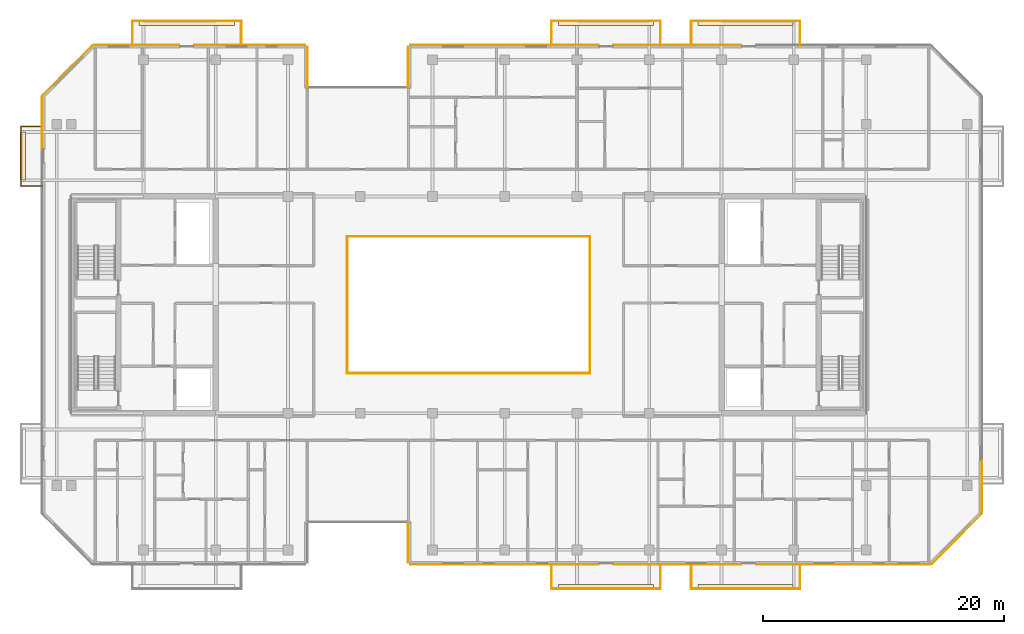
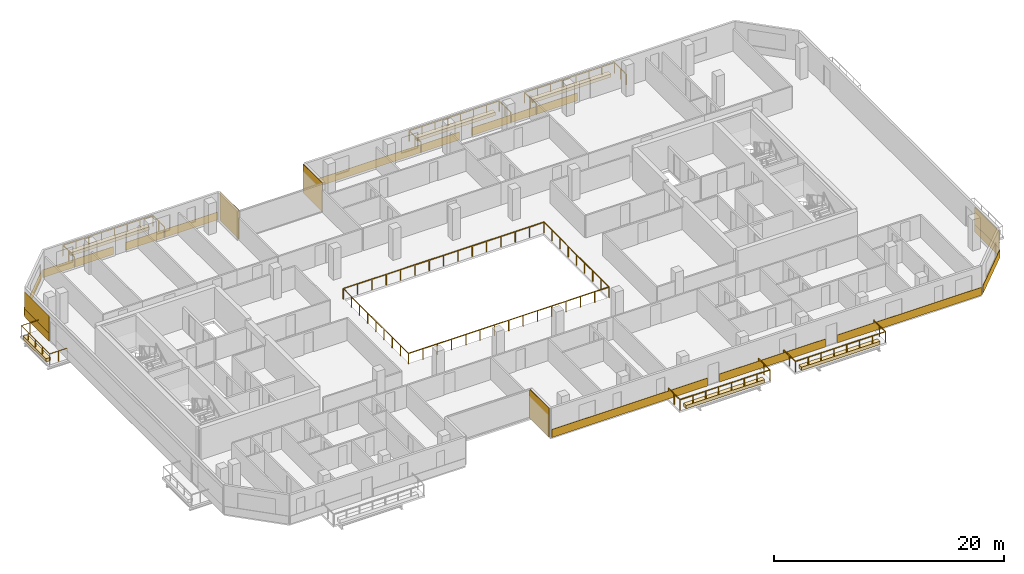
# One storey, part 19 of 20: 22 coverings, 8 railings.
"""IFC4 building model written with IfcOpenShell, lengths in metres."""

from ifc_helpers import new_model, si_unit, direction, frame, origin, origin_2d, place, context, subcontext, project, spatial, polyline, rectangle, outline, extrude, material, layer, layer_set, type_object, element, save


model = new_model("IFC4")

# Units and contexts
model_context = context("Model", 3, precision=1e-05, world=origin(), true_north=direction((0.0, 1.0)))
body_context = subcontext(model_context, "Body", "Model", "MODEL_VIEW")
ifc_project = project(units=[si_unit("LENGTHUNIT", "METRE"), si_unit("AREAUNIT", "SQUARE_METRE"), si_unit("VOLUMEUNIT", "CUBIC_METRE"), si_unit("PLANEANGLEUNIT", "RADIAN"), si_unit("MASSUNIT", "GRAM", prefix="KILO")], contexts=[model_context])

# Site, building, storey
site_placement = place(None, origin())
site = spatial("IfcSite", under=ifc_project, at=site_placement, CompositionType="ELEMENT")
building_placement = place(site_placement, origin())
building = spatial("IfcBuilding", under=site, at=building_placement, Name="Tanjung Sevakor Pilgrim Tower", CompositionType="ELEMENT")
storey_placement = place(building_placement, frame((0.0, 0.0, 201.6298828125)))
storey = spatial("IfcBuildingStorey", under=building, at=storey_placement, Name="L56", CompositionType="ELEMENT", Elevation=201.6298828125)

# Coverings
ifc_material_1 = material(Name="Reconstructed Limestone Cladding", Category="masonry")
ifc_layer_1 = layer(ifc_material_1, 0.044921875)
ifc_layer_set_1 = layer_set([ifc_layer_1], Name="COV-CLAD-LIMESTONE")
covering_type_1 = type_object("IfcCoveringType", Name="COV-CLAD-LIMESTONE", PredefinedType="CLADDING", material=ifc_layer_set_1)
covering_1_placement = place(storey_placement, frame((51.9775390625, 13.860107421875, 0.02001953125), z_axis=(0.0, 0.0, 1.0), x_axis=(0.0, -1.0, 0.0)))
element("IfcCovering", 1, at=covering_1_placement, inside=storey, type_object=covering_type_1, Name="L56 Warm Limestone Wall Cladding EW-L56-MAIN-4", PredefinedType="CLADDING", context=body_context, shape_type="SweptSolid", body=[
    extrude(rectangle(XDim=3.360107421875, YDim=0.044921875, at=origin_2d()), origin(), (0.0, 0.0, 1.0), 3.0400390625),
])
covering_2_placement = place(storey_placement, frame((59.969970703125, 12.027587890625, 0.01025390625), z_axis=(0.0, 0.0, 1.0), x_axis=(1.0, 0.0, 0.0)))
element("IfcCovering", 2, at=covering_2_placement, inside=storey, type_object=covering_type_1, Name="L56 Warm Limestone Sill Spandrel EW-L56-MAIN-5-1", PredefinedType="CLADDING", context=body_context, shape_type="SweptSolid", body=[
    extrude(rectangle(XDim=15.639892578125, YDim=0.044921875, at=origin_2d()), origin(), (0.0, 0.0, 1.0), 0.840087890625),
])
covering_3_placement = place(storey_placement, frame((74.324951171875, 12.027587890625, 0.01025390625), z_axis=(0.0, 0.0, 1.0), x_axis=(1.0, 0.0, 0.0)))
element("IfcCovering", 3, at=covering_3_placement, inside=storey, type_object=covering_type_1, Name="L56 Warm Limestone Sill Spandrel EW-L56-MAIN-5-2", PredefinedType="CLADDING", context=body_context, shape_type="SweptSolid", body=[
    extrude(rectangle(XDim=10.6298828125, YDim=0.044921875, at=origin_2d()), origin(), (0.0, 0.0, 1.0), 0.840087890625),
])
covering_4_placement = place(storey_placement, frame((88.087158203125, 12.027587890625, 0.01025390625), z_axis=(0.0, 0.0, 1.0), x_axis=(1.0, 0.0, 0.0)))
element("IfcCovering", 4, at=covering_4_placement, inside=storey, type_object=covering_type_1, Name="L56 Warm Limestone Sill Spandrel EW-L56-MAIN-5-3", PredefinedType="CLADDING", context=body_context, shape_type="SweptSolid", body=[
    extrude(rectangle(XDim=14.454345703125, YDim=0.044921875, at=origin_2d()), origin(), (0.0, 0.0, 1.0), 0.840087890625),
])
covering_5_placement = place(storey_placement, frame((97.515869140625, 14.134033203125, 0.01025390625), z_axis=(0.0, 0.0, 1.0), x_axis=(0.707106781187, 0.707106781187, 0.0)))
element("IfcCovering", 5, at=covering_5_placement, inside=storey, type_object=covering_type_1, Name="L56 Warm Limestone Sill Spandrel EW-CHM-L56-MAIN-5-1", PredefinedType="CLADDING", context=body_context, shape_type="SweptSolid", body=[
    extrude(rectangle(XDim=5.7685546875, YDim=0.044921875, at=origin_2d()), origin(), (0.0, 0.0, 1.0), 0.840087890625),
])
covering_6_placement = place(storey_placement, frame((99.62255859375, 18.48779296875, 0.01025390625), z_axis=(0.0, 0.0, 1.0), x_axis=(0.0, 1.0, 0.0)))
element("IfcCovering", 6, at=covering_6_placement, inside=storey, type_object=covering_type_1, Name="L56 Warm Limestone Sill Spandrel EW-L56-MAIN-7-1", PredefinedType="CLADDING", context=body_context, shape_type="SweptSolid", body=[
    extrude(rectangle(XDim=4.304443359375, YDim=0.044921875, at=origin_2d()), origin(), (0.0, 0.0, 1.0), 0.840087890625),
])
covering_7_placement = place(storey_placement, frame((99.62255859375, 18.492919921875, 0.85009765625), z_axis=(0.0, 0.0, 1.0), x_axis=(0.0, 1.0, 0.0)))
element("IfcCovering", 7, at=covering_7_placement, inside=storey, type_object=covering_type_1, Name="L56 Warm Limestone Pier Panel EW-L56-MAIN-7-1", PredefinedType="CLADDING", context=body_context, shape_type="SweptSolid", body=[
    extrude(rectangle(XDim=4.314453125, YDim=0.044921875, at=origin_2d()), origin(), (0.0, 0.0, 1.0), 1.81005859375),
])
covering_8_placement = place(storey_placement, frame((74.324951171875, 55.172607421875, 0.01025390625), z_axis=(0.0, 0.0, 1.0), x_axis=(-1.0, 0.0, 0.0)))
element("IfcCovering", 8, at=covering_8_placement, inside=storey, type_object=covering_type_1, Name="L56 Warm Limestone Sill Spandrel EW-L56-MAIN-9-2", PredefinedType="CLADDING", context=body_context, shape_type="SweptSolid", body=[
    extrude(rectangle(XDim=10.6298828125, YDim=0.044921875, at=origin_2d()), origin(), (0.0, 0.0, 1.0), 0.840087890625),
])
covering_9_placement = place(storey_placement, frame((59.969970703125, 55.172607421875, 0.01025390625), z_axis=(0.0, 0.0, 1.0), x_axis=(-1.0, 0.0, 0.0)))
element("IfcCovering", 9, at=covering_9_placement, inside=storey, type_object=covering_type_1, Name="L56 Warm Limestone Sill Spandrel EW-L56-MAIN-9-3", PredefinedType="CLADDING", context=body_context, shape_type="SweptSolid", body=[
    extrude(rectangle(XDim=15.639892578125, YDim=0.044921875, at=origin_2d()), origin(), (0.0, 0.0, 1.0), 0.840087890625),
])
for number, where, z_axis, x_axis, name in (
    (10, (51.9775390625, 53.340087890625, 0.02001953125), (0.0, 0.0, 1.0), (0.0, -1.0, 0.0), "L56 Warm Limestone Wall Cladding EW-L56-MAIN-10"),
    (11, (43.62255859375, 53.340087890625, 0.02001953125), (0.0, 0.0, 1.0), (0.0, 1.0, 0.0), "L56 Warm Limestone Wall Cladding EW-L56-MAIN-12"),
):
    element("IfcCovering", number, at=place(storey_placement, frame(where, z_axis=z_axis, x_axis=x_axis)), inside=storey, type_object=covering_type_1, Name=name, PredefinedType="CLADDING", context=body_context, shape_type="SweptSolid", body=[
        extrude(rectangle(XDim=3.360107421875, YDim=0.044921875, at=origin_2d()), origin(), (0.0, 0.0, 1.0), 3.0400390625),
    ])
covering_10_placement = place(storey_placement, frame((38.830078125, 55.172607421875, 0.01025390625), z_axis=(0.0, 0.0, 1.0), x_axis=(-1.0, 0.0, 0.0)))
element("IfcCovering", 12, at=covering_10_placement, inside=storey, type_object=covering_type_1, Name="L56 Warm Limestone Sill Spandrel EW-L56-MAIN-13-1", PredefinedType="CLADDING", context=body_context, shape_type="SweptSolid", body=[
    extrude(rectangle(XDim=9.239990234375, YDim=0.044921875, at=origin_2d()), origin(), (0.0, 0.0, 1.0), 0.840087890625),
])
covering_11_placement = place(storey_placement, frame((29.437744140625, 55.172607421875, 0.01025390625), z_axis=(0.0, 0.0, 1.0), x_axis=(-1.0, 0.0, 0.0)))
element("IfcCovering", 13, at=covering_11_placement, inside=storey, type_object=covering_type_1, Name="L56 Warm Limestone Sill Spandrel EW-L56-MAIN-13-2", PredefinedType="CLADDING", context=body_context, shape_type="SweptSolid", body=[
    extrude(rectangle(XDim=7.1044921875, YDim=0.044921875, at=origin_2d()), origin(), (0.0, 0.0, 1.0), 0.840087890625),
])
covering_12_placement = place(storey_placement, frame((23.68408203125, 53.06591796875, 0.01025390625), z_axis=(0.0, 0.0, 1.0), x_axis=(-0.707106781187, -0.707106781187, 0.0)))
element("IfcCovering", 14, at=covering_12_placement, inside=storey, type_object=covering_type_1, Name="L56 Warm Limestone Sill Spandrel EW-CHM-L56-MAIN-13-1", PredefinedType="CLADDING", context=body_context, shape_type="SweptSolid", body=[
    extrude(rectangle(XDim=5.7685546875, YDim=0.044921875, at=origin_2d()), origin(), (0.0, 0.0, 1.0), 0.840087890625),
])
covering_13_placement = place(storey_placement, frame((21.577392578125, 48.712158203125, 0.01025390625), z_axis=(0.0, 0.0, 1.0), x_axis=(0.0, -1.0, 0.0)))
element("IfcCovering", 15, at=covering_13_placement, inside=storey, type_object=covering_type_1, Name="L56 Warm Limestone Sill Spandrel EW-L56-MAIN-15-1", PredefinedType="CLADDING", context=body_context, shape_type="SweptSolid", body=[
    extrude(rectangle(XDim=4.304443359375, YDim=0.044921875, at=origin_2d()), origin(), (0.0, 0.0, 1.0), 0.840087890625),
])
covering_14_placement = place(storey_placement, frame((21.577392578125, 48.707275390625, 0.85009765625), z_axis=(0.0, 0.0, 1.0), x_axis=(0.0, -1.0, 0.0)))
element("IfcCovering", 16, at=covering_14_placement, inside=storey, type_object=covering_type_1, Name="L56 Warm Limestone Pier Panel EW-L56-MAIN-15-1", PredefinedType="CLADDING", context=body_context, shape_type="SweptSolid", body=[
    extrude(rectangle(XDim=4.314453125, YDim=0.044921875, at=origin_2d()), origin(), (0.0, 0.0, 1.0), 1.81005859375),
])
ifc_material_2 = material(Name="Vegetated Modular Planter Assembly", Category="organic")
ifc_layer_2 = layer(ifc_material_2, 0.35009765625)
ifc_layer_set_2 = layer_set([ifc_layer_2], Name="COV-GRN-TROUGH")
covering_type_2 = type_object("IfcCoveringType", Name="COV-GRN-TROUGH", PredefinedType="CLADDING", material=ifc_layer_set_2)
covering_15_placement = place(storey_placement, origin())
element("IfcCovering", 17, at=covering_15_placement, inside=storey, type_object=covering_type_2, Name="L56 Planted Landscape Hedge Trough BGRN-L56-MAIN-N1", PredefinedType="CLADDING", context=body_context, shape_type="SweptSolid", body=[
    extrude(outline(polyline([(29.64990234375, 56.81005859375), (37.550048828125, 56.81005859375), (37.550048828125, 57.25), (29.64990234375, 57.25), (29.64990234375, 56.81005859375)])), origin(), (0.0, 0.0, 1.0), 0.35009765625),
])
covering_16_placement = place(storey_placement, origin())
element("IfcCovering", 18, at=covering_16_placement, inside=storey, type_object=covering_type_2, Name="L56 Planted Landscape Hedge Trough BGRN-L56-MAIN-S2", PredefinedType="CLADDING", context=body_context, shape_type="SweptSolid", body=[
    extrude(outline(polyline([(64.449951171875, 9.949951171875), (72.35009765625, 9.949951171875), (72.35009765625, 10.389892578125), (64.449951171875, 10.389892578125), (64.449951171875, 9.949951171875)])), origin(), (0.0, 0.0, 1.0), 0.35009765625),
])
covering_17_placement = place(storey_placement, origin())
element("IfcCovering", 19, at=covering_17_placement, inside=storey, type_object=covering_type_2, Name="L56 Planted Landscape Hedge Trough BGRN-L56-MAIN-N2", PredefinedType="CLADDING", context=body_context, shape_type="SweptSolid", body=[
    extrude(outline(polyline([(64.449951171875, 56.81005859375), (72.35009765625, 56.81005859375), (72.35009765625, 57.25), (64.449951171875, 57.25), (64.449951171875, 56.81005859375)])), origin(), (0.0, 0.0, 1.0), 0.35009765625),
])
covering_18_placement = place(storey_placement, origin())
element("IfcCovering", 20, at=covering_18_placement, inside=storey, type_object=covering_type_2, Name="L56 Planted Landscape Hedge Trough BGRN-L56-MAIN-S3", PredefinedType="CLADDING", context=body_context, shape_type="SweptSolid", body=[
    extrude(outline(polyline([(76.050048828125, 9.949951171875), (83.949951171875, 9.949951171875), (83.949951171875, 10.389892578125), (76.050048828125, 10.389892578125), (76.050048828125, 9.949951171875)])), origin(), (0.0, 0.0, 1.0), 0.35009765625),
])
covering_19_placement = place(storey_placement, origin())
element("IfcCovering", 21, at=covering_19_placement, inside=storey, type_object=covering_type_2, Name="L56 Planted Landscape Hedge Trough BGRN-L56-MAIN-N3", PredefinedType="CLADDING", context=body_context, shape_type="SweptSolid", body=[
    extrude(outline(polyline([(76.050048828125, 56.81005859375), (83.949951171875, 56.81005859375), (83.949951171875, 57.25), (76.050048828125, 57.25), (76.050048828125, 56.81005859375)])), origin(), (0.0, 0.0, 1.0), 0.35009765625),
])
covering_20_placement = place(storey_placement, origin())
element("IfcCovering", 22, at=covering_20_placement, inside=storey, type_object=covering_type_2, Name="L56 Planted Landscape Hedge Trough BGRN-L56-MAIN-W2", PredefinedType="CLADDING", context=body_context, shape_type="SweptSolid", body=[
    extrude(outline(polyline([(20.18994140625, 43.949951171875), (20.18994140625, 47.949951171875), (19.75, 47.949951171875), (19.75, 43.949951171875), (20.18994140625, 43.949951171875)])), origin(), (0.0, 0.0, 1.0), 0.35009765625),
])

# Railings
ifc_material_3 = material(Name="Laminated Glass and Aluminium", Category="aluminium")
railing_type = type_object("IfcRailingType", Name="RL-BAL-BALUST", PredefinedType="BALUSTRADE", material=ifc_material_3)
railing_1_placement = place(storey_placement, frame((46.919921875, 27.919921875, 0.0)))
element("IfcRailing", 23, at=railing_1_placement, inside=storey, type_object=railing_type, Name="L56 Void Opening Balustrade 1A", PredefinedType="BALUSTRADE", context=body_context, shape_type="SweptSolid", body=[
    extrude(rectangle(XDim=0.0479, YDim=0.0479), frame((0.0, 0.0, 1.1259765625), z_axis=(1.0, 0.0, 0.0), x_axis=(0.0, 1.0, 0.0)), (0.0, 0.0, 1.0), 20.16015625),
    extrude(rectangle(XDim=0.0479, YDim=0.0479), frame((20.16015625, 0.0, 1.1259765625), z_axis=(0.0, 1.0, 0.0), x_axis=(-1.0, 0.0, 0.0)), (0.0, 0.0, 1.0), 11.360107421875),
    extrude(rectangle(XDim=0.042, YDim=0.042), origin(), (0.0, 0.0, 1.0), 1.101806640625),
    extrude(rectangle(XDim=0.042, YDim=0.042), frame((1.43994140625, 0.0, 0.0)), (0.0, 0.0, 1.0), 1.101806640625),
    extrude(rectangle(XDim=0.042, YDim=0.042), frame((2.880126953125, 0.0, 0.0)), (0.0, 0.0, 1.0), 1.101806640625),
    extrude(rectangle(XDim=0.042, YDim=0.042), frame((4.320068359375, 0.0, 0.0)), (0.0, 0.0, 1.0), 1.101806640625),
    extrude(rectangle(XDim=0.042, YDim=0.042), frame((5.760009765625, 0.0, 0.0)), (0.0, 0.0, 1.0), 1.101806640625),
    extrude(rectangle(XDim=0.042, YDim=0.042), frame((7.199951171875, 0.0, 0.0)), (0.0, 0.0, 1.0), 1.101806640625),
    extrude(rectangle(XDim=0.042, YDim=0.042), frame((8.64013671875, 0.0, 0.0)), (0.0, 0.0, 1.0), 1.101806640625),
    extrude(rectangle(XDim=0.042, YDim=0.042), frame((10.080078125, 0.0, 0.0)), (0.0, 0.0, 1.0), 1.101806640625),
    extrude(rectangle(XDim=0.042, YDim=0.042), frame((11.52001953125, 0.0, 0.0)), (0.0, 0.0, 1.0), 1.101806640625),
    extrude(rectangle(XDim=0.042, YDim=0.042), frame((12.960205078125, 0.0, 0.0)), (0.0, 0.0, 1.0), 1.101806640625),
    extrude(rectangle(XDim=0.042, YDim=0.042), frame((14.400146484375, 0.0, 0.0)), (0.0, 0.0, 1.0), 1.101806640625),
    extrude(rectangle(XDim=0.042, YDim=0.042), frame((15.840087890625, 0.0, 0.0)), (0.0, 0.0, 1.0), 1.101806640625),
    extrude(rectangle(XDim=0.042, YDim=0.042), frame((17.280029296875, 0.0, 0.0)), (0.0, 0.0, 1.0), 1.101806640625),
    extrude(rectangle(XDim=0.042, YDim=0.042), frame((18.72021484375, 0.0, 0.0)), (0.0, 0.0, 1.0), 1.101806640625),
    extrude(rectangle(XDim=0.042, YDim=0.042), frame((20.16015625, 0.0, 0.0)), (0.0, 0.0, 1.0), 1.101806640625),
    extrude(rectangle(XDim=0.042, YDim=0.042), frame((20.16015625, 1.419921875, 0.0)), (0.0, 0.0, 1.0), 1.101806640625),
    extrude(rectangle(XDim=0.042, YDim=0.042), frame((20.16015625, 2.840087890625, 0.0)), (0.0, 0.0, 1.0), 1.101806640625),
    extrude(rectangle(XDim=0.042, YDim=0.042), frame((20.16015625, 4.260009765625, 0.0)), (0.0, 0.0, 1.0), 1.101806640625),
    extrude(rectangle(XDim=0.042, YDim=0.042), frame((20.16015625, 5.68017578125, 0.0)), (0.0, 0.0, 1.0), 1.101806640625),
    extrude(rectangle(XDim=0.042, YDim=0.042), frame((20.16015625, 7.10009765625, 0.0)), (0.0, 0.0, 1.0), 1.101806640625),
    extrude(rectangle(XDim=0.042, YDim=0.042), frame((20.16015625, 8.52001953125, 0.0)), (0.0, 0.0, 1.0), 1.101806640625),
    extrude(rectangle(XDim=0.042, YDim=0.042), frame((20.16015625, 9.940185546875, 0.0)), (0.0, 0.0, 1.0), 1.101806640625),
    extrude(rectangle(XDim=0.042, YDim=0.042), frame((20.16015625, 11.360107421875, 0.0)), (0.0, 0.0, 1.0), 1.101806640625),
])
railing_2_placement = place(storey_placement, frame((67.080078125, 39.280029296875, 0.0)))
element("IfcRailing", 24, at=railing_2_placement, inside=storey, type_object=railing_type, Name="L56 Void Opening Balustrade 1B", PredefinedType="BALUSTRADE", context=body_context, shape_type="SweptSolid", body=[
    extrude(rectangle(XDim=0.0479, YDim=0.0479), frame((0.0, 0.0, 1.1259765625), z_axis=(-1.0, 0.0, 0.0), x_axis=(0.0, -1.0, 0.0)), (0.0, 0.0, 1.0), 20.16015625),
    extrude(rectangle(XDim=0.0479, YDim=0.0479), frame((-20.16015625, 0.0, 1.1259765625), z_axis=(0.0, -1.0, 0.0), x_axis=(1.0, 0.0, 0.0)), (0.0, 0.0, 1.0), 11.360107421875),
    extrude(rectangle(XDim=0.042, YDim=0.042), origin(), (0.0, 0.0, 1.0), 1.101806640625),
    extrude(rectangle(XDim=0.042, YDim=0.042), frame((-1.43994140625, 0.0, 0.0)), (0.0, 0.0, 1.0), 1.101806640625),
    extrude(rectangle(XDim=0.042, YDim=0.042), frame((-2.880126953125, 0.0, 0.0)), (0.0, 0.0, 1.0), 1.101806640625),
    extrude(rectangle(XDim=0.042, YDim=0.042), frame((-4.320068359375, 0.0, 0.0)), (0.0, 0.0, 1.0), 1.101806640625),
    extrude(rectangle(XDim=0.042, YDim=0.042), frame((-5.760009765625, 0.0, 0.0)), (0.0, 0.0, 1.0), 1.101806640625),
    extrude(rectangle(XDim=0.042, YDim=0.042), frame((-7.199951171875, 0.0, 0.0)), (0.0, 0.0, 1.0), 1.101806640625),
    extrude(rectangle(XDim=0.042, YDim=0.042), frame((-8.64013671875, 0.0, 0.0)), (0.0, 0.0, 1.0), 1.101806640625),
    extrude(rectangle(XDim=0.042, YDim=0.042), frame((-10.080078125, 0.0, 0.0)), (0.0, 0.0, 1.0), 1.101806640625),
    extrude(rectangle(XDim=0.042, YDim=0.042), frame((-11.52001953125, 0.0, 0.0)), (0.0, 0.0, 1.0), 1.101806640625),
    extrude(rectangle(XDim=0.042, YDim=0.042), frame((-12.960205078125, 0.0, 0.0)), (0.0, 0.0, 1.0), 1.101806640625),
    extrude(rectangle(XDim=0.042, YDim=0.042), frame((-14.400146484375, 0.0, 0.0)), (0.0, 0.0, 1.0), 1.101806640625),
    extrude(rectangle(XDim=0.042, YDim=0.042), frame((-15.840087890625, 0.0, 0.0)), (0.0, 0.0, 1.0), 1.101806640625),
    extrude(rectangle(XDim=0.042, YDim=0.042), frame((-17.280029296875, 0.0, 0.0)), (0.0, 0.0, 1.0), 1.101806640625),
    extrude(rectangle(XDim=0.042, YDim=0.042), frame((-18.72021484375, 0.0, 0.0)), (0.0, 0.0, 1.0), 1.101806640625),
    extrude(rectangle(XDim=0.042, YDim=0.042), frame((-20.16015625, 0.0, 0.0)), (0.0, 0.0, 1.0), 1.101806640625),
    extrude(rectangle(XDim=0.042, YDim=0.042), frame((-20.16015625, -1.419921875, 0.0)), (0.0, 0.0, 1.0), 1.101806640625),
    extrude(rectangle(XDim=0.042, YDim=0.042), frame((-20.16015625, -2.840087890625, 0.0)), (0.0, 0.0, 1.0), 1.101806640625),
    extrude(rectangle(XDim=0.042, YDim=0.042), frame((-20.16015625, -4.260009765625, 0.0)), (0.0, 0.0, 1.0), 1.101806640625),
    extrude(rectangle(XDim=0.042, YDim=0.042), frame((-20.16015625, -5.68017578125, 0.0)), (0.0, 0.0, 1.0), 1.101806640625),
    extrude(rectangle(XDim=0.042, YDim=0.042), frame((-20.16015625, -7.10009765625, 0.0)), (0.0, 0.0, 1.0), 1.101806640625),
    extrude(rectangle(XDim=0.042, YDim=0.042), frame((-20.16015625, -8.52001953125, 0.0)), (0.0, 0.0, 1.0), 1.101806640625),
    extrude(rectangle(XDim=0.042, YDim=0.042), frame((-20.16015625, -9.940185546875, 0.0)), (0.0, 0.0, 1.0), 1.101806640625),
    extrude(rectangle(XDim=0.042, YDim=0.042), frame((-20.16015625, -11.360107421875, 0.0)), (0.0, 0.0, 1.0), 1.101806640625),
])
railing_3_placement = place(storey_placement, frame((29.080078125, 55.14990234375, 0.0)))
element("IfcRailing", 25, at=railing_3_placement, inside=storey, type_object=railing_type, Name="L56 Loggia Balustrade MAIN-N1", PredefinedType="BALUSTRADE", context=body_context, shape_type="SweptSolid", body=[
    extrude(rectangle(XDim=0.0479, YDim=0.0479), frame((0.0, 0.0, 1.1259765625), z_axis=(0.0, 1.0, 0.0), x_axis=(-1.0, 0.0, 0.0)), (0.0, 0.0, 1.0), 2.02001953125),
    extrude(rectangle(XDim=0.0479, YDim=0.0479), frame((0.0, 2.02001953125, 1.1259765625), z_axis=(1.0, 0.0, 0.0), x_axis=(0.0, 1.0, 0.0)), (0.0, 0.0, 1.0), 9.0400390625),
    extrude(rectangle(XDim=0.0479, YDim=0.0479), frame((9.0400390625, 2.02001953125, 1.1259765625), z_axis=(0.0, -1.0, 0.0), x_axis=(1.0, 0.0, 0.0)), (0.0, 0.0, 1.0), 2.02001953125),
    extrude(rectangle(XDim=0.042, YDim=0.042), origin(), (0.0, 0.0, 1.0), 1.101806640625),
    extrude(rectangle(XDim=0.042, YDim=0.042), frame((0.0, 1.010009765625, 0.0)), (0.0, 0.0, 1.0), 1.101806640625),
    extrude(rectangle(XDim=0.042, YDim=0.042), frame((0.0, 2.02001953125, 0.0)), (0.0, 0.0, 1.0), 1.101806640625),
    extrude(rectangle(XDim=0.042, YDim=0.042), frame((1.29150390625, 2.02001953125, 0.0)), (0.0, 0.0, 1.0), 1.101806640625),
    extrude(rectangle(XDim=0.042, YDim=0.042), frame((2.582763671875, 2.02001953125, 0.0)), (0.0, 0.0, 1.0), 1.101806640625),
    extrude(rectangle(XDim=0.042, YDim=0.042), frame((3.874267578125, 2.02001953125, 0.0)), (0.0, 0.0, 1.0), 1.101806640625),
    extrude(rectangle(XDim=0.042, YDim=0.042), frame((5.165771484375, 2.02001953125, 0.0)), (0.0, 0.0, 1.0), 1.101806640625),
    extrude(rectangle(XDim=0.042, YDim=0.042), frame((6.457275390625, 2.02001953125, 0.0)), (0.0, 0.0, 1.0), 1.101806640625),
    extrude(rectangle(XDim=0.042, YDim=0.042), frame((7.74853515625, 2.02001953125, 0.0)), (0.0, 0.0, 1.0), 1.101806640625),
    extrude(rectangle(XDim=0.042, YDim=0.042), frame((9.0400390625, 2.02001953125, 0.0)), (0.0, 0.0, 1.0), 1.101806640625),
    extrude(rectangle(XDim=0.042, YDim=0.042), frame((9.0400390625, 1.010009765625, 0.0)), (0.0, 0.0, 1.0), 1.101806640625),
    extrude(rectangle(XDim=0.042, YDim=0.042), frame((9.0400390625, 0.0, 0.0)), (0.0, 0.0, 1.0), 1.101806640625),
])
railing_4_placement = place(storey_placement, frame((63.8798828125, 12.050048828125, 0.0)))
element("IfcRailing", 26, at=railing_4_placement, inside=storey, type_object=railing_type, Name="L56 Loggia Balustrade MAIN-S2", PredefinedType="BALUSTRADE", context=body_context, shape_type="SweptSolid", body=[
    extrude(rectangle(XDim=0.0479, YDim=0.0479), frame((0.0, 0.0, 1.1259765625), z_axis=(0.0, -1.0, 0.0), x_axis=(1.0, 0.0, 0.0)), (0.0, 0.0, 1.0), 2.02001953125),
    extrude(rectangle(XDim=0.0479, YDim=0.0479), frame((0.0, -2.02001953125, 1.1259765625), z_axis=(1.0, 0.0, 0.0), x_axis=(0.0, 1.0, 0.0)), (0.0, 0.0, 1.0), 9.0400390625),
    extrude(rectangle(XDim=0.0479, YDim=0.0479), frame((9.0400390625, -2.02001953125, 1.1259765625), z_axis=(0.0, 1.0, 0.0), x_axis=(-1.0, 0.0, 0.0)), (0.0, 0.0, 1.0), 2.02001953125),
    extrude(rectangle(XDim=0.042, YDim=0.042), origin(), (0.0, 0.0, 1.0), 1.101806640625),
    extrude(rectangle(XDim=0.042, YDim=0.042), frame((0.0, -1.010009765625, 0.0)), (0.0, 0.0, 1.0), 1.101806640625),
    extrude(rectangle(XDim=0.042, YDim=0.042), frame((0.0, -2.02001953125, 0.0)), (0.0, 0.0, 1.0), 1.101806640625),
    extrude(rectangle(XDim=0.042, YDim=0.042), frame((1.29150390625, -2.02001953125, 0.0)), (0.0, 0.0, 1.0), 1.101806640625),
    extrude(rectangle(XDim=0.042, YDim=0.042), frame((2.582763671875, -2.02001953125, 0.0)), (0.0, 0.0, 1.0), 1.101806640625),
    extrude(rectangle(XDim=0.042, YDim=0.042), frame((3.874267578125, -2.02001953125, 0.0)), (0.0, 0.0, 1.0), 1.101806640625),
    extrude(rectangle(XDim=0.042, YDim=0.042), frame((5.165771484375, -2.02001953125, 0.0)), (0.0, 0.0, 1.0), 1.101806640625),
    extrude(rectangle(XDim=0.042, YDim=0.042), frame((6.457275390625, -2.02001953125, 0.0)), (0.0, 0.0, 1.0), 1.101806640625),
    extrude(rectangle(XDim=0.042, YDim=0.042), frame((7.74853515625, -2.02001953125, 0.0)), (0.0, 0.0, 1.0), 1.101806640625),
    extrude(rectangle(XDim=0.042, YDim=0.042), frame((9.0400390625, -2.02001953125, 0.0)), (0.0, 0.0, 1.0), 1.101806640625),
    extrude(rectangle(XDim=0.042, YDim=0.042), frame((9.0400390625, -1.010009765625, 0.0)), (0.0, 0.0, 1.0), 1.101806640625),
    extrude(rectangle(XDim=0.042, YDim=0.042), frame((9.0400390625, 0.0, 0.0)), (0.0, 0.0, 1.0), 1.101806640625),
])
railing_5_placement = place(storey_placement, frame((63.8798828125, 55.14990234375, 0.0)))
element("IfcRailing", 27, at=railing_5_placement, inside=storey, type_object=railing_type, Name="L56 Loggia Balustrade MAIN-N2", PredefinedType="BALUSTRADE", context=body_context, shape_type="SweptSolid", body=[
    extrude(rectangle(XDim=0.0479, YDim=0.0479), frame((0.0, 0.0, 1.1259765625), z_axis=(0.0, 1.0, 0.0), x_axis=(-1.0, 0.0, 0.0)), (0.0, 0.0, 1.0), 2.02001953125),
    extrude(rectangle(XDim=0.0479, YDim=0.0479), frame((0.0, 2.02001953125, 1.1259765625), z_axis=(1.0, 0.0, 0.0), x_axis=(0.0, 1.0, 0.0)), (0.0, 0.0, 1.0), 9.0400390625),
    extrude(rectangle(XDim=0.0479, YDim=0.0479), frame((9.0400390625, 2.02001953125, 1.1259765625), z_axis=(0.0, -1.0, 0.0), x_axis=(1.0, 0.0, 0.0)), (0.0, 0.0, 1.0), 2.02001953125),
    extrude(rectangle(XDim=0.042, YDim=0.042), origin(), (0.0, 0.0, 1.0), 1.101806640625),
    extrude(rectangle(XDim=0.042, YDim=0.042), frame((0.0, 1.010009765625, 0.0)), (0.0, 0.0, 1.0), 1.101806640625),
    extrude(rectangle(XDim=0.042, YDim=0.042), frame((0.0, 2.02001953125, 0.0)), (0.0, 0.0, 1.0), 1.101806640625),
    extrude(rectangle(XDim=0.042, YDim=0.042), frame((1.29150390625, 2.02001953125, 0.0)), (0.0, 0.0, 1.0), 1.101806640625),
    extrude(rectangle(XDim=0.042, YDim=0.042), frame((2.582763671875, 2.02001953125, 0.0)), (0.0, 0.0, 1.0), 1.101806640625),
    extrude(rectangle(XDim=0.042, YDim=0.042), frame((3.874267578125, 2.02001953125, 0.0)), (0.0, 0.0, 1.0), 1.101806640625),
    extrude(rectangle(XDim=0.042, YDim=0.042), frame((5.165771484375, 2.02001953125, 0.0)), (0.0, 0.0, 1.0), 1.101806640625),
    extrude(rectangle(XDim=0.042, YDim=0.042), frame((6.457275390625, 2.02001953125, 0.0)), (0.0, 0.0, 1.0), 1.101806640625),
    extrude(rectangle(XDim=0.042, YDim=0.042), frame((7.74853515625, 2.02001953125, 0.0)), (0.0, 0.0, 1.0), 1.101806640625),
    extrude(rectangle(XDim=0.042, YDim=0.042), frame((9.0400390625, 2.02001953125, 0.0)), (0.0, 0.0, 1.0), 1.101806640625),
    extrude(rectangle(XDim=0.042, YDim=0.042), frame((9.0400390625, 1.010009765625, 0.0)), (0.0, 0.0, 1.0), 1.101806640625),
    extrude(rectangle(XDim=0.042, YDim=0.042), frame((9.0400390625, 0.0, 0.0)), (0.0, 0.0, 1.0), 1.101806640625),
])
railing_6_placement = place(storey_placement, frame((75.47998046875, 12.050048828125, 0.0)))
element("IfcRailing", 28, at=railing_6_placement, inside=storey, type_object=railing_type, Name="L56 Loggia Balustrade MAIN-S3", PredefinedType="BALUSTRADE", context=body_context, shape_type="SweptSolid", body=[
    extrude(rectangle(XDim=0.0479, YDim=0.0479), frame((0.0, 0.0, 1.1259765625), z_axis=(0.0, -1.0, 0.0), x_axis=(1.0, 0.0, 0.0)), (0.0, 0.0, 1.0), 2.02001953125),
    extrude(rectangle(XDim=0.0479, YDim=0.0479), frame((0.0, -2.02001953125, 1.1259765625), z_axis=(1.0, 0.0, 0.0), x_axis=(0.0, 1.0, 0.0)), (0.0, 0.0, 1.0), 9.0400390625),
    extrude(rectangle(XDim=0.0479, YDim=0.0479), frame((9.0400390625, -2.02001953125, 1.1259765625), z_axis=(0.0, 1.0, 0.0), x_axis=(-1.0, 0.0, 0.0)), (0.0, 0.0, 1.0), 2.02001953125),
    extrude(rectangle(XDim=0.042, YDim=0.042), origin(), (0.0, 0.0, 1.0), 1.101806640625),
    extrude(rectangle(XDim=0.042, YDim=0.042), frame((0.0, -1.010009765625, 0.0)), (0.0, 0.0, 1.0), 1.101806640625),
    extrude(rectangle(XDim=0.042, YDim=0.042), frame((0.0, -2.02001953125, 0.0)), (0.0, 0.0, 1.0), 1.101806640625),
    extrude(rectangle(XDim=0.042, YDim=0.042), frame((1.29150390625, -2.02001953125, 0.0)), (0.0, 0.0, 1.0), 1.101806640625),
    extrude(rectangle(XDim=0.042, YDim=0.042), frame((2.582763671875, -2.02001953125, 0.0)), (0.0, 0.0, 1.0), 1.101806640625),
    extrude(rectangle(XDim=0.042, YDim=0.042), frame((3.874267578125, -2.02001953125, 0.0)), (0.0, 0.0, 1.0), 1.101806640625),
    extrude(rectangle(XDim=0.042, YDim=0.042), frame((5.165771484375, -2.02001953125, 0.0)), (0.0, 0.0, 1.0), 1.101806640625),
    extrude(rectangle(XDim=0.042, YDim=0.042), frame((6.457275390625, -2.02001953125, 0.0)), (0.0, 0.0, 1.0), 1.101806640625),
    extrude(rectangle(XDim=0.042, YDim=0.042), frame((7.74853515625, -2.02001953125, 0.0)), (0.0, 0.0, 1.0), 1.101806640625),
    extrude(rectangle(XDim=0.042, YDim=0.042), frame((9.0400390625, -2.02001953125, 0.0)), (0.0, 0.0, 1.0), 1.101806640625),
    extrude(rectangle(XDim=0.042, YDim=0.042), frame((9.0400390625, -1.010009765625, 0.0)), (0.0, 0.0, 1.0), 1.101806640625),
    extrude(rectangle(XDim=0.042, YDim=0.042), frame((9.0400390625, 0.0, 0.0)), (0.0, 0.0, 1.0), 1.101806640625),
])
railing_7_placement = place(storey_placement, frame((75.47998046875, 55.14990234375, 0.0)))
element("IfcRailing", 29, at=railing_7_placement, inside=storey, type_object=railing_type, Name="L56 Loggia Balustrade MAIN-N3", PredefinedType="BALUSTRADE", context=body_context, shape_type="SweptSolid", body=[
    extrude(rectangle(XDim=0.0479, YDim=0.0479), frame((0.0, 0.0, 1.1259765625), z_axis=(0.0, 1.0, 0.0), x_axis=(-1.0, 0.0, 0.0)), (0.0, 0.0, 1.0), 2.02001953125),
    extrude(rectangle(XDim=0.0479, YDim=0.0479), frame((0.0, 2.02001953125, 1.1259765625), z_axis=(1.0, 0.0, 0.0), x_axis=(0.0, 1.0, 0.0)), (0.0, 0.0, 1.0), 9.0400390625),
    extrude(rectangle(XDim=0.0479, YDim=0.0479), frame((9.0400390625, 2.02001953125, 1.1259765625), z_axis=(0.0, -1.0, 0.0), x_axis=(1.0, 0.0, 0.0)), (0.0, 0.0, 1.0), 2.02001953125),
    extrude(rectangle(XDim=0.042, YDim=0.042), origin(), (0.0, 0.0, 1.0), 1.101806640625),
    extrude(rectangle(XDim=0.042, YDim=0.042), frame((0.0, 1.010009765625, 0.0)), (0.0, 0.0, 1.0), 1.101806640625),
    extrude(rectangle(XDim=0.042, YDim=0.042), frame((0.0, 2.02001953125, 0.0)), (0.0, 0.0, 1.0), 1.101806640625),
    extrude(rectangle(XDim=0.042, YDim=0.042), frame((1.29150390625, 2.02001953125, 0.0)), (0.0, 0.0, 1.0), 1.101806640625),
    extrude(rectangle(XDim=0.042, YDim=0.042), frame((2.582763671875, 2.02001953125, 0.0)), (0.0, 0.0, 1.0), 1.101806640625),
    extrude(rectangle(XDim=0.042, YDim=0.042), frame((3.874267578125, 2.02001953125, 0.0)), (0.0, 0.0, 1.0), 1.101806640625),
    extrude(rectangle(XDim=0.042, YDim=0.042), frame((5.165771484375, 2.02001953125, 0.0)), (0.0, 0.0, 1.0), 1.101806640625),
    extrude(rectangle(XDim=0.042, YDim=0.042), frame((6.457275390625, 2.02001953125, 0.0)), (0.0, 0.0, 1.0), 1.101806640625),
    extrude(rectangle(XDim=0.042, YDim=0.042), frame((7.74853515625, 2.02001953125, 0.0)), (0.0, 0.0, 1.0), 1.101806640625),
    extrude(rectangle(XDim=0.042, YDim=0.042), frame((9.0400390625, 2.02001953125, 0.0)), (0.0, 0.0, 1.0), 1.101806640625),
    extrude(rectangle(XDim=0.042, YDim=0.042), frame((9.0400390625, 1.010009765625, 0.0)), (0.0, 0.0, 1.0), 1.101806640625),
    extrude(rectangle(XDim=0.042, YDim=0.042), frame((9.0400390625, 0.0, 0.0)), (0.0, 0.0, 1.0), 1.101806640625),
])
railing_8_placement = place(storey_placement, frame((21.60009765625, 43.47998046875, 0.0)))
element("IfcRailing", 30, at=railing_8_placement, inside=storey, type_object=railing_type, Name="L56 Loggia Balustrade MAIN-W2", PredefinedType="BALUSTRADE", context=body_context, shape_type="SweptSolid", body=[
    extrude(rectangle(XDim=0.0479, YDim=0.0479), frame((0.0, 0.0, 1.1259765625), z_axis=(-1.0, 0.0, 0.0), x_axis=(0.0, -1.0, 0.0)), (0.0, 0.0, 1.0), 1.77001953125),
    extrude(rectangle(XDim=0.0479, YDim=0.0479), frame((-1.77001953125, 0.0, 1.1259765625), z_axis=(0.0, 1.0, 0.0), x_axis=(-1.0, 0.0, 0.0)), (0.0, 0.0, 1.0), 4.93994140625),
    extrude(rectangle(XDim=0.0479, YDim=0.0479), frame((-1.77001953125, 4.93994140625, 1.1259765625), z_axis=(1.0, 0.0, 0.0), x_axis=(0.0, 1.0, 0.0)), (0.0, 0.0, 1.0), 1.77001953125),
    extrude(rectangle(XDim=0.042, YDim=0.042), origin(), (0.0, 0.0, 1.0), 1.101806640625),
    extrude(rectangle(XDim=0.042, YDim=0.042), frame((-0.885009765625, 0.0, 0.0)), (0.0, 0.0, 1.0), 1.101806640625),
    extrude(rectangle(XDim=0.042, YDim=0.042), frame((-1.77001953125, 0.0, 0.0)), (0.0, 0.0, 1.0), 1.101806640625),
    extrude(rectangle(XDim=0.042, YDim=0.042), frame((-1.77001953125, 1.23486328125, 0.0)), (0.0, 0.0, 1.0), 1.101806640625),
    extrude(rectangle(XDim=0.042, YDim=0.042), frame((-1.77001953125, 2.469970703125, 0.0)), (0.0, 0.0, 1.0), 1.101806640625),
    extrude(rectangle(XDim=0.042, YDim=0.042), frame((-1.77001953125, 3.705078125, 0.0)), (0.0, 0.0, 1.0), 1.101806640625),
    extrude(rectangle(XDim=0.042, YDim=0.042), frame((-1.77001953125, 4.93994140625, 0.0)), (0.0, 0.0, 1.0), 1.101806640625),
    extrude(rectangle(XDim=0.042, YDim=0.042), frame((-0.885009765625, 4.93994140625, 0.0)), (0.0, 0.0, 1.0), 1.101806640625),
    extrude(rectangle(XDim=0.042, YDim=0.042), frame((0.0, 4.93994140625, 0.0)), (0.0, 0.0, 1.0), 1.101806640625),
])

save(model, "model.ifc")
